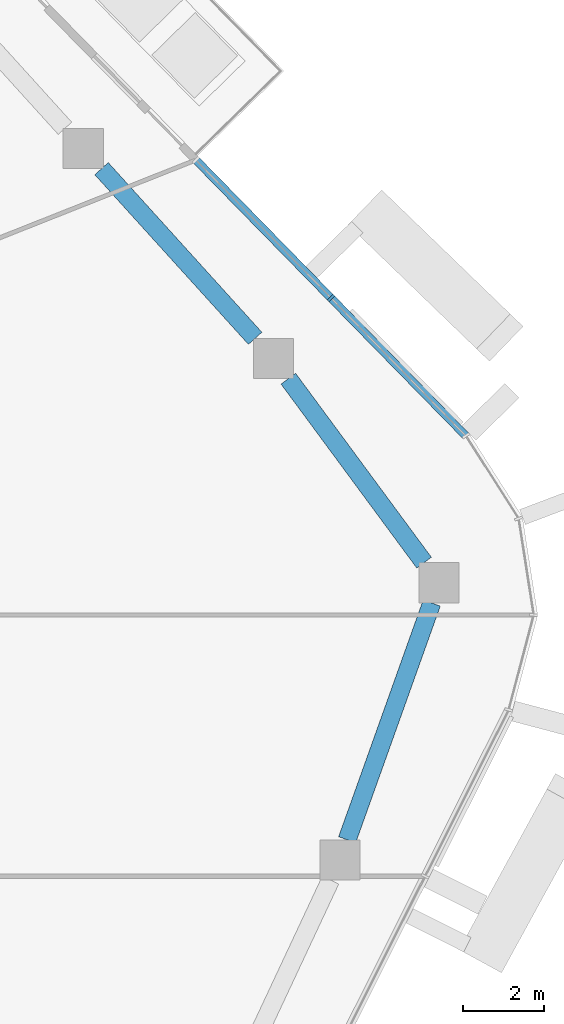
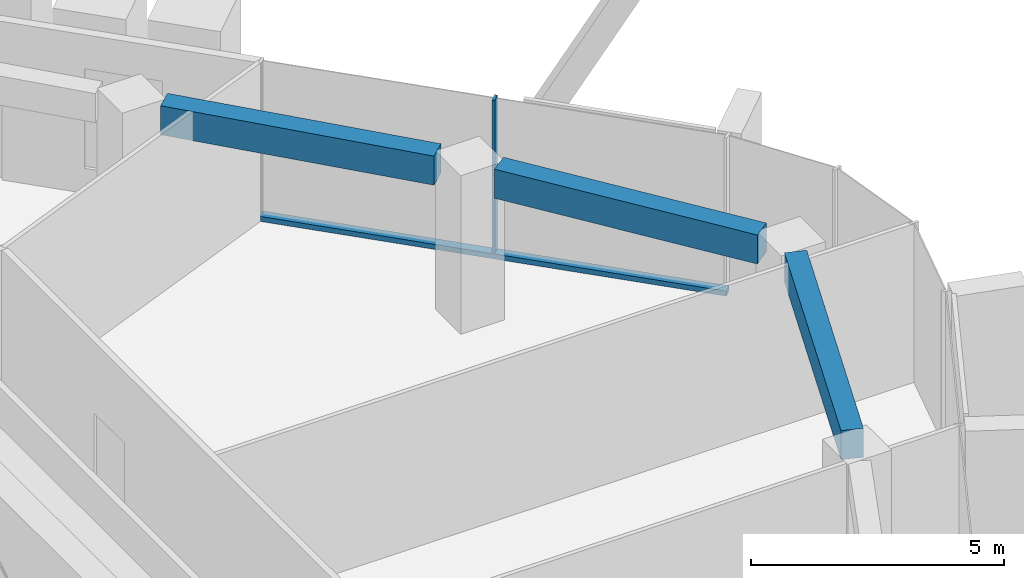
# One storey, part 8 of 24: 3 beams, 2 members, 1 element without a shape of its own.
"""IFC4 building model written with IfcOpenShell, lengths in metres."""

from ifc_helpers import new_model, si_unit, direction, frame, origin, origin_2d, place, context, subcontext, project, spatial, rectangle, extrude, material, layer, layer_set, material_profile, profile_set, type_object, element, aggregate, save


model = new_model("IFC4")

# Units and contexts
model_context = context("Model", 3, precision=1e-05, world=origin(), true_north=direction((0.0, 1.0)))
body_context = subcontext(model_context, "Body", "Model", "MODEL_VIEW")
ifc_project = project(units=[si_unit("LENGTHUNIT", "METRE"), si_unit("AREAUNIT", "SQUARE_METRE"), si_unit("VOLUMEUNIT", "CUBIC_METRE"), si_unit("PLANEANGLEUNIT", "RADIAN"), si_unit("MASSUNIT", "GRAM", prefix="KILO")], contexts=[model_context])

# Site, building, storey
site_placement = place(None, origin())
site = spatial("IfcSite", under=ifc_project, at=site_placement, CompositionType="ELEMENT")
building_placement = place(site_placement, origin())
building = spatial("IfcBuilding", under=site, at=building_placement, Name="Dongbaek Canopy Tower", CompositionType="ELEMENT")
storey_placement = place(building_placement, frame((0.0, 0.0, 311.0)))
storey = spatial("IfcBuildingStorey", under=building, at=storey_placement, Name="L66", CompositionType="ELEMENT", Elevation=311.0)

# Curtain wall, members
ifc_material_1 = material(Name="Aluminium 6063-T6 pale anodised", Category="aluminium")
ifc_layer = layer(ifc_material_1, 0.199951171875)
ifc_layer_set = layer_set([ifc_layer], Name="CW-1 unitised tower curtain wall")
curtain_wall_type = type_object("IfcCurtainWallType", Name="CW-1 unitised tower curtain wall", PredefinedType="NOTDEFINED", material=ifc_layer_set)
curtain_wall_placement = place(storey_placement, origin())
curtain_wall = element("IfcCurtainWall", 1, at=curtain_wall_placement, inside=storey, type_object=curtain_wall_type, Name="CW-1 curtain wall F0.1", PredefinedType="NOTDEFINED")
ifc_material_2 = material(Name="Aluminium 6063-T6 pale anodised", Category="aluminium")
ifc_material_profile_1 = material_profile(ifc_material_2, rectangle(XDim=0.199951171875, YDim=0.06005859375, at=origin_2d()), Name="CW-1 mullion 60 x 200")
ifc_profile_set_1 = profile_set([ifc_material_profile_1], Name="Aluminium 6063-T6 pale anodised")
member_type_1 = type_object("IfcMemberType", Name="CW-1 mullion 60 x 200", PredefinedType="MULLION", material=ifc_profile_set_1)
member_1_placement = place(storey_placement, frame((28.13037109375, 13.75537109375, 0.1201171875), z_axis=(0.0, 0.0, 1.0), x_axis=(0.714780141035, 0.699349233203, 0.0)))
member_1 = element("IfcMember", 2, at=member_1_placement, type_object=member_type_1, Name="CW-1 mullion F0.1.2", PredefinedType="MULLION", context=body_context, shape_type="SweptSolid", body=[
    extrude(rectangle(XDim=0.199951171875, YDim=0.06005859375, at=origin_2d()), origin(), (0.0, 0.0, 1.0), 3.699951171875),
])
ifc_material_3 = material(Name="Aluminium 6063-T6 pale anodised", Category="aluminium")
ifc_material_profile_2 = material_profile(ifc_material_3, rectangle(XDim=0.199951171875, YDim=0.1201171875, at=origin_2d()), Name="CW-1 transom 120 x 200")
ifc_profile_set_2 = profile_set([ifc_material_profile_2], Name="Aluminium 6063-T6 pale anodised")
member_type_2 = type_object("IfcMemberType", Name="CW-1 transom 120 x 200", PredefinedType="USERDEFINED", material=ifc_profile_set_2)
member_2_placement = place(storey_placement, frame((31.470947265625, 10.3408203125, 0.06005859375), z_axis=(-0.699342925573, 0.714786312439, 0.0), x_axis=(-0.714786312439, -0.699342925573, 0.0)))
member_2 = element("IfcMember", 3, at=member_2_placement, type_object=member_type_2, Name="CW-1 transom F0.1.1", ObjectType="TRANSOM", PredefinedType="USERDEFINED", context=body_context, shape_type="SweptSolid", body=[
    extrude(rectangle(XDim=0.199951171875, YDim=0.1201171875, at=origin_2d()), origin(), (0.0, 0.0, 1.0), 9.564208984375),
])
aggregate(curtain_wall, [member_1, member_2])

# Beams
ifc_material_4 = material(Name="Concrete C60", Category="concrete")
ifc_material_profile_3 = material_profile(ifc_material_4, rectangle(XDim=0.449951171875, YDim=0.699951171875, at=origin_2d()), Name="RC EDGE BEAM 450x700 C60")
ifc_profile_set_3 = profile_set([ifc_material_profile_3], Name="Concrete C60")
beam_type = type_object("IfcBeamType", Name="RC EDGE BEAM 450x700 C60", PredefinedType="BEAM", material=ifc_profile_set_3)
beam_1_placement = place(storey_placement, frame((22.442626953125, 16.9619140625, 3.469970703125), z_axis=(0.671227680473, -0.741251240112, 0.0), x_axis=(0.741251240112, 0.671227680473, 0.0)))
element("IfcBeam", 4, at=beam_1_placement, inside=storey, type_object=beam_type, Name="EDGEBEAM:L66:19", PredefinedType="BEAM", context=body_context, shape_type="SweptSolid", body=[
    extrude(rectangle(XDim=0.449951171875, YDim=0.699951171875, at=origin_2d()), origin(), (0.0, 0.0, 1.0), 5.672607421875),
])
beam_2_placement = place(storey_placement, frame((27.072021484375, 11.757080078125, 3.469970703125), z_axis=(0.593735402363, -0.804660345724, 0.0), x_axis=(0.804660345724, 0.593735402363, 0.0)))
element("IfcBeam", 5, at=beam_2_placement, inside=storey, type_object=beam_type, Name="EDGEBEAM:L66:20", PredefinedType="BEAM", context=body_context, shape_type="SweptSolid", body=[
    extrude(rectangle(XDim=0.449951171875, YDim=0.699951171875, at=origin_2d()), origin(), (0.0, 0.0, 1.0), 5.665771484375),
])
beam_3_placement = place(storey_placement, frame((30.626220703125, 6.197998046875, 3.469970703125), z_axis=(-0.336443121865, -0.941703788752, 0.0), x_axis=(0.941703788752, -0.336443121865, 0.0)))
element("IfcBeam", 6, at=beam_3_placement, inside=storey, type_object=beam_type, Name="EDGEBEAM:L66:21", PredefinedType="BEAM", context=body_context, shape_type="SweptSolid", body=[
    extrude(rectangle(XDim=0.449951171875, YDim=0.699951171875, at=origin_2d()), origin(), (0.0, 0.0, 1.0), 6.231201171875),
])

save(model, "model.ifc")
